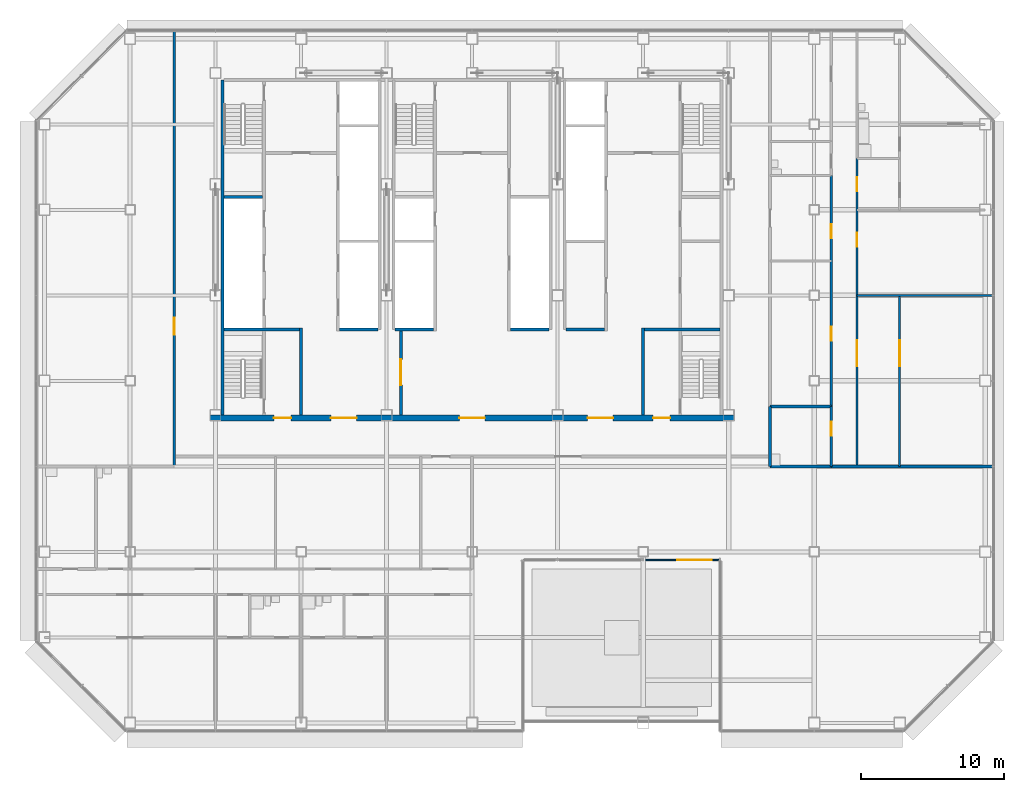
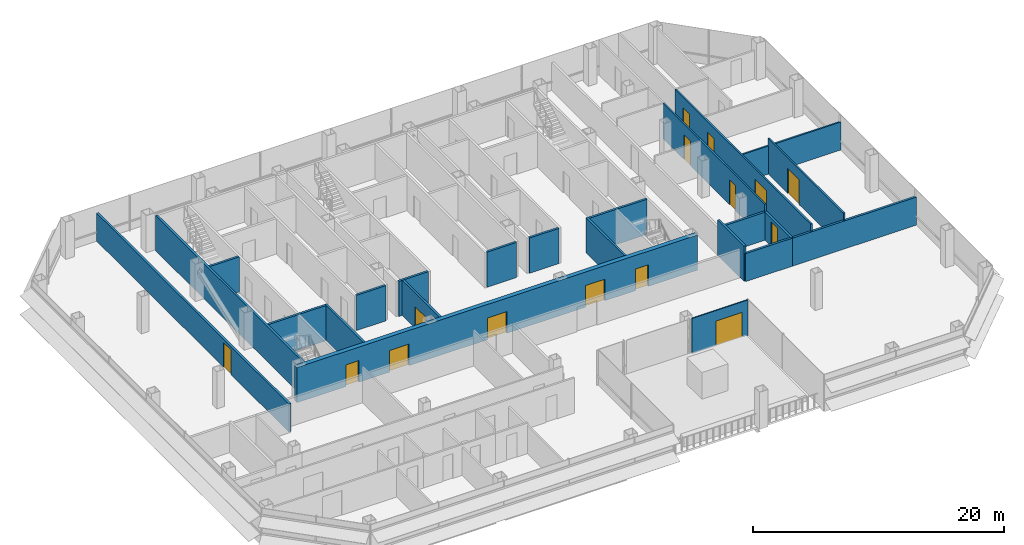
# One storey, part 19 of 26: 23 walls, 15 doors, 15 openings.
"""IFC4 building model written with IfcOpenShell, lengths in metres."""

from ifc_helpers import new_model, si_unit, direction, frame, frame_2d, origin, place, context, subcontext, project, spatial, rectangle, extrude, material, layer, layer_set, type_object, element, fill, save


model = new_model("IFC4")

# Units and contexts
model_context = context("Model", 3, precision=1e-05, world=origin(), true_north=direction((0.0, 1.0)))
body_context = subcontext(model_context, "Body", "Model", "MODEL_VIEW")
ifc_project = project(units=[si_unit("LENGTHUNIT", "METRE"), si_unit("AREAUNIT", "SQUARE_METRE"), si_unit("VOLUMEUNIT", "CUBIC_METRE"), si_unit("PLANEANGLEUNIT", "RADIAN"), si_unit("MASSUNIT", "GRAM", prefix="KILO")], contexts=[model_context])

# Site, building, storey
site_placement = place(None, origin())
site = spatial("IfcSite", under=ifc_project, at=site_placement, CompositionType="ELEMENT")
building_placement = place(site_placement, origin())
building = spatial("IfcBuilding", under=site, at=building_placement, Name="Sorahane Residences", CompositionType="ELEMENT")
storey_placement = place(building_placement, frame((0.0, 0.0, 103.39990234375)))
storey = spatial("IfcBuildingStorey", under=building, at=storey_placement, Name="L22", CompositionType="ELEMENT", Elevation=103.39990234375)

# Wall
ifc_material_1 = material(Name="Concrete C30", Category="concrete")
ifc_layer_1 = layer(ifc_material_1, 0.199951171875)
ifc_layer_set_1 = layer_set([ifc_layer_1], Name="Core face wall 200 EI 180")
wall_type_1 = type_object("IfcWallType", Name="Core face wall 200 EI 180", PredefinedType="SOLIDWALL", material=ifc_layer_set_1)
wall_1_placement = place(storey_placement, frame((6.5, 21.60009765625, 0.0), z_axis=(0.0, 0.0, 1.0), x_axis=(0.0, 1.0, 0.0)))
element("IfcWall", 1, at=wall_1_placement, inside=storey, type_object=wall_type_1, Name="L22 core face wall", PredefinedType="SOLIDWALL", context=body_context, shape_type="SweptSolid", body=[
    extrude(rectangle(XDim=23.5, YDim=0.199951171875, at=frame_2d((11.75, 0.0))), origin(), (0.0, 0.0, 1.0), 3.420166015625),
])

# Wall, opening, door
ifc_material_2 = material(Name="Concrete blockwork C20 wall", Category="masonry")
ifc_layer_2 = layer(ifc_material_2, 0.199951171875)
ifc_layer_set_2 = layer_set([ifc_layer_2], Name="Corridor wall 200 EI 120")
wall_type_2 = type_object("IfcWallType", Name="Corridor wall 200 EI 120", PredefinedType="SOLIDWALL", material=ifc_layer_set_2)
wall_2_placement = place(storey_placement, frame((3.10009765625, 18.0, 0.0), z_axis=(0.0, 0.0, 1.0), x_axis=(0.0, 1.0, 0.0)))
wall_2 = element("IfcWall", 2, at=wall_2_placement, inside=storey, type_object=wall_type_2, Name="L22 corridor wall", PredefinedType="SOLIDWALL", context=body_context, shape_type="SweptSolid", body=[
    extrude(rectangle(XDim=30.60009765625, YDim=0.199951171875, at=frame_2d((15.300048828125, 0.0))), origin(), (0.0, 0.0, 1.0), 2.72021484375),
])
opening_1_placement = place(wall_2_placement, frame((9.22998046875, 0.0, 0.0)))
opening_1 = element("IfcOpeningElement", 3, at=opening_1_placement, cuts=wall_2, Name="Opening L22-30", PredefinedType="OPENING", context=body_context, shape_type="SweptSolid", body=[
    extrude(rectangle(XDim=1.199951171875, YDim=2.39990234375, at=frame_2d((0.60009765625, 1.199951171875))), frame((0.0, 0.10986328125, 0.0), z_axis=(0.0, -1.0, 0.0), x_axis=(1.0, 0.0, 0.0)), (0.0, 0.0, 1.0), 0.219970703125),
])
ifc_material_3 = material(Name="Steel", Category="steel")
door_type_1 = type_object("IfcDoorType", Name="Lobby door 1200x2400 FD60", OperationType="NOTDEFINED", PredefinedType="DOOR", material=ifc_material_3)
door_1_placement = place(opening_1_placement, origin())
door_1 = element("IfcDoor", 4, at=door_1_placement, inside=storey, type_object=door_type_1, Name="Lobby door L22-30", OperationType="SINGLE_SWING_LEFT", OverallHeight=2.39990234375, OverallWidth=1.199951171875, PredefinedType="DOOR", context=body_context, shape_type="SweptSolid", body=[
    extrude(rectangle(XDim=1.199951171875, YDim=2.39990234375, at=frame_2d((0.60009765625, 1.199951171875))), frame((0.0, 0.02490234375, 0.0), z_axis=(0.0, -1.0, 0.0), x_axis=(1.0, 0.0, 0.0)), (0.0, 0.0, 1.0), 0.050048828125),
])
fill(opening_1, door_1)

# Walls
wall_3_placement = place(storey_placement, frame((49.199951171875, 18.0, 0.0), z_axis=(0.0, 0.0, 1.0), x_axis=(1.0, 0.0, 0.0)))
element("IfcWall", 5, at=wall_3_placement, inside=storey, type_object=wall_type_2, Name="L22 corridor wall", PredefinedType="SOLIDWALL", context=body_context, shape_type="SweptSolid", body=[
    extrude(rectangle(XDim=11.400146484375, YDim=0.199951171875, at=frame_2d((5.7001953125, 0.0))), origin(), (0.0, 0.0, 1.0), 2.72021484375),
])
ifc_material_4 = material(Name="Concrete C30", Category="concrete")
ifc_layer_3 = layer(ifc_material_4, 0.199951171875)
ifc_layer_set_3 = layer_set([ifc_layer_3], Name="Front room wall 200 EI 120")
wall_type_3 = type_object("IfcWallType", Name="Front room wall 200 EI 120", PredefinedType="PARTITIONING", material=ifc_layer_set_3)
for number, where, z_axis, x_axis, name in (
    (6, (12.0, 21.60009765625, 0.0), (0.0, 0.0, 1.0), (0.0, 1.0, 0.0), "L22 front room wall"),
    (7, (36.0, 21.60009765625, 0.0), (0.0, 0.0, 1.0), (0.0, 1.0, 0.0), "L22 front room wall"),
):
    element("IfcWall", number, at=place(storey_placement, frame(where, z_axis=z_axis, x_axis=x_axis)), inside=storey, type_object=wall_type_3, Name=name, PredefinedType="PARTITIONING", context=body_context, shape_type="SweptSolid", body=[
        extrude(rectangle(XDim=6.099853515625, YDim=0.199951171875, at=frame_2d((3.0498046875, 0.0))), origin(), (0.0, 0.0, 1.0), 3.420166015625),
    ])

# Wall, opening, door
ifc_material_5 = material(Name="Toughened low-iron glass", Category="glass")
ifc_layer_4 = layer(ifc_material_5, 0.10009765625)
ifc_layer_set_4 = layer_set([ifc_layer_4], Name="Glazed door screen toughened low-iron glass 100")
wall_type_4 = type_object("IfcWallType", Name="Glazed door screen toughened low-iron glass 100", PredefinedType="SOLIDWALL", material=ifc_layer_set_4)
wall_4_placement = place(storey_placement, frame((36.199951171875, 11.429931640625, 0.0), z_axis=(0.0, 0.0, 1.0), x_axis=(1.0, 0.0, 0.0)))
wall_4 = element("IfcWall", 8, at=wall_4_placement, inside=storey, type_object=wall_type_4, Name="Glazed door screen L22 S2.3", PredefinedType="SOLIDWALL", context=body_context, shape_type="SweptSolid", body=[
    extrude(rectangle(XDim=5.150146484375, YDim=0.10009765625, at=frame_2d((2.5751953125, 0.0))), origin(), (0.0, 0.0, 1.0), 3.420166015625),
])
opening_2_placement = place(wall_4_placement, frame((2.199951171875, 0.0, 0.0)))
opening_2 = element("IfcOpeningElement", 9, at=opening_2_placement, cuts=wall_4, Name="Opening L22-F01", PredefinedType="OPENING", context=body_context, shape_type="SweptSolid", body=[
    extrude(rectangle(XDim=2.39990234375, YDim=2.39990234375, at=frame_2d((1.199951171875, 1.199951171875))), frame((0.0, 0.06005859375, 0.0), z_axis=(0.0, -1.0, 0.0), x_axis=(1.0, 0.0, 0.0)), (0.0, 0.0, 1.0), 0.1201171875),
])
ifc_material_6 = material(Name="Black anodised aluminium and low-iron glass", Category="aluminium")
door_type_2 = type_object("IfcDoorType", Name="Glazed terrace door black aluminium 2400x2400", OperationType="DOUBLE_DOOR_SINGLE_SWING", PredefinedType="DOOR", material=ifc_material_6)
door_2_placement = place(opening_2_placement, origin())
door_2 = element("IfcDoor", 10, at=door_2_placement, inside=storey, type_object=door_type_2, Name="Terrace door L22-F01", OperationType="DOUBLE_DOOR_SINGLE_SWING", OverallHeight=2.39990234375, OverallWidth=2.39990234375, PredefinedType="DOOR", context=body_context, shape_type="SweptSolid", body=[
    extrude(rectangle(XDim=2.39990234375, YDim=2.39990234375, at=frame_2d((1.199951171875, 1.199951171875))), frame((0.0, 0.02490234375, 0.0), z_axis=(0.0, -1.0, 0.0), x_axis=(1.0, 0.0, 0.0)), (0.0, 0.0, 1.0), 0.050048828125),
])
fill(opening_2, door_2)

# Wall
ifc_material_7 = material(Name="Concrete blockwork C20 wall", Category="masonry")
ifc_layer_5 = layer(ifc_material_7, 0.199951171875)
ifc_layer_set_5 = layer_set([ifc_layer_5], Name="Kitchen wall 200 EI 180")
wall_type_5 = type_object("IfcWallType", Name="Kitchen wall 200 EI 180", PredefinedType="SOLIDWALL", material=ifc_layer_set_5)
wall_5_placement = place(storey_placement, frame((44.89990234375, 18.001953125, 0.0), z_axis=(0.0, 0.0, 1.0), x_axis=(0.0, 1.0, 0.0)))
element("IfcWall", 11, at=wall_5_placement, inside=storey, type_object=wall_type_5, Name="L22 kitchen wall", PredefinedType="SOLIDWALL", context=body_context, shape_type="SweptSolid", body=[
    extrude(rectangle(XDim=4.197998046875, YDim=0.199951171875, at=frame_2d((2.09912109375, 0.0))), origin(), (0.0, 0.0, 1.0), 3.420166015625),
])

# Wall, opening, door
wall_6_placement = place(storey_placement, frame((49.199951171875, 18.0, 0.0), z_axis=(0.0, 0.0, 1.0), x_axis=(0.0, 1.0, 0.0)))
wall_6 = element("IfcWall", 12, at=wall_6_placement, inside=storey, type_object=wall_type_5, Name="L22 kitchen wall", PredefinedType="SOLIDWALL", context=body_context, shape_type="SweptSolid", body=[
    extrude(rectangle(XDim=4.199951171875, YDim=0.199951171875, at=frame_2d((2.10009765625, 0.0))), origin(), (0.0, 0.0, 1.0), 2.72021484375),
])
opening_3_placement = place(wall_6_placement, frame((2.139892578125, 0.0, 0.0)))
opening_3 = element("IfcOpeningElement", 13, at=opening_3_placement, cuts=wall_6, Name="Opening L22-16", PredefinedType="OPENING", context=body_context, shape_type="SweptSolid", body=[
    extrude(rectangle(XDim=1.0, YDim=2.39990234375, at=frame_2d((0.5, 1.199951171875))), frame((0.0, 0.10986328125, 0.0), z_axis=(0.0, -1.0, 0.0), x_axis=(1.0, 0.0, 0.0)), (0.0, 0.0, 1.0), 0.219970703125),
])
ifc_material_8 = material(Name="Steel", Category="steel")
door_type_3 = type_object("IfcDoorType", Name="Kitchen door 1000x2400 FD120", OperationType="NOTDEFINED", PredefinedType="DOOR", material=ifc_material_8)
door_3_placement = place(opening_3_placement, origin())
door_3 = element("IfcDoor", 14, at=door_3_placement, inside=storey, type_object=door_type_3, Name="Kitchen door L22-16", OperationType="SINGLE_SWING_RIGHT", OverallHeight=2.39990234375, OverallWidth=1.0, PredefinedType="DOOR", context=body_context, shape_type="SweptSolid", body=[
    extrude(rectangle(XDim=1.0, YDim=2.39990234375, at=frame_2d((0.5, 1.199951171875))), frame((0.0, 0.02490234375, 0.0), z_axis=(0.0, -1.0, 0.0), x_axis=(1.0, 0.0, 0.0)), (0.0, 0.0, 1.0), 0.050048828125),
])
fill(opening_3, door_3)

# Walls
wall_7_placement = place(storey_placement, frame((44.902099609375, 18.0, 0.0), z_axis=(0.0, 0.0, 1.0), x_axis=(1.0, 0.0, 0.0)))
element("IfcWall", 15, at=wall_7_placement, inside=storey, type_object=wall_type_5, Name="L22 kitchen wall", PredefinedType="SOLIDWALL", context=body_context, shape_type="SweptSolid", body=[
    extrude(rectangle(XDim=4.2978515625, YDim=0.199951171875, at=frame_2d((2.14892578125, 0.0))), origin(), (0.0, 0.0, 1.0), 2.72021484375),
])
wall_8_placement = place(storey_placement, frame((44.89990234375, 22.199951171875, 0.0), z_axis=(0.0, 0.0, 1.0), x_axis=(1.0, 0.0, 0.0)))
element("IfcWall", 16, at=wall_8_placement, inside=storey, type_object=wall_type_5, Name="L22 kitchen wall", PredefinedType="SOLIDWALL", context=body_context, shape_type="SweptSolid", body=[
    extrude(rectangle(XDim=4.300048828125, YDim=0.199951171875, at=frame_2d((2.14990234375, 0.0))), origin(), (0.0, 0.0, 1.0), 2.72021484375),
])
ifc_material_9 = material(Name="Concrete C30", Category="concrete")
ifc_layer_6 = layer(ifc_material_9, 0.199951171875)
ifc_layer_set_6 = layer_set([ifc_layer_6], Name="Lift shaft wall 200 EI 120")
wall_type_6 = type_object("IfcWallType", Name="Lift shaft wall 200 EI 120", PredefinedType="SOLIDWALL", material=ifc_layer_set_6)
for number, where, z_axis, x_axis, name in (
    (17, (14.699951171875, 27.60009765625, 0.0), (0.0, 0.0, 1.0), (1.0, 0.0, 0.0), "L22 lift shaft wall"),
    (18, (18.60009765625, 27.60009765625, 0.0), (0.0, 0.0, 1.0), (1.0, 0.0, 0.0), "L22 lift shaft wall"),
):
    element("IfcWall", number, at=place(storey_placement, frame(where, z_axis=z_axis, x_axis=x_axis)), inside=storey, type_object=wall_type_6, Name=name, PredefinedType="SOLIDWALL", context=body_context, shape_type="SweptSolid", body=[
        extrude(rectangle(XDim=2.699951171875, YDim=0.199951171875, at=frame_2d((1.35009765625, 0.0))), origin(), (0.0, 0.0, 1.0), 3.420166015625),
    ])

# Wall, openings, doors
ifc_material_10 = material(Name="Gypsum board partition on steel studs", Category="steel")
ifc_layer_7 = layer(ifc_material_10, 0.14990234375)
ifc_layer_set_7 = layer_set([ifc_layer_7], Name="Partition 150 EI 90")
wall_type_7 = type_object("IfcWallType", Name="Partition 150 EI 90", PredefinedType="PARTITIONING", material=ifc_layer_set_7)
wall_9_placement = place(storey_placement, frame((49.199951171875, 22.199951171875, 0.0), z_axis=(0.0, 0.0, 1.0), x_axis=(0.0, 1.0, 0.0)))
wall_9 = element("IfcWall", 19, at=wall_9_placement, inside=storey, type_object=wall_type_7, Name="L22 partition", PredefinedType="PARTITIONING", context=body_context, shape_type="SweptSolid", body=[
    extrude(rectangle(XDim=16.199951171875, YDim=0.14990234375, at=frame_2d((8.10009765625, 0.0))), origin(), (0.0, 0.0, 1.0), 3.420166015625),
])
opening_4_placement = place(wall_9_placement, frame((11.800048828125, 0.0, 0.0)))
opening_4 = element("IfcOpeningElement", 20, at=opening_4_placement, cuts=wall_9, Name="Opening L22-15", PredefinedType="OPENING", context=body_context, shape_type="SweptSolid", body=[
    extrude(rectangle(XDim=1.0, YDim=2.39990234375, at=frame_2d((0.5, 1.199951171875))), frame((0.0, 0.0849609375, 0.0), z_axis=(0.0, -1.0, 0.0), x_axis=(1.0, 0.0, 0.0)), (0.0, 0.0, 1.0), 0.169921875),
])
opening_5_placement = place(wall_9_placement, frame((4.60009765625, 0.0, 0.0)))
opening_5 = element("IfcOpeningElement", 21, at=opening_5_placement, cuts=wall_9, Name="Opening L22-17", PredefinedType="OPENING", context=body_context, shape_type="SweptSolid", body=[
    extrude(rectangle(XDim=1.0, YDim=2.39990234375, at=frame_2d((0.5, 1.199951171875))), frame((0.0, 0.0849609375, 0.0), z_axis=(0.0, -1.0, 0.0), x_axis=(1.0, 0.0, 0.0)), (0.0, 0.0, 1.0), 0.169921875),
])
ifc_material_11 = material(Name="Timber veneered fire door", Category="wood")
door_type_4 = type_object("IfcDoorType", Name="Room door 1000x2400 FD30", OperationType="NOTDEFINED", PredefinedType="DOOR", material=ifc_material_11)
door_4_placement = place(opening_4_placement, frame((1.0, 0.0, 0.0), z_axis=(0.0, 0.0, 1.0), x_axis=(-1.0, 0.0, 0.0)))
door_4 = element("IfcDoor", 22, at=door_4_placement, inside=storey, type_object=door_type_4, Name="Room door L22-15", OperationType="SINGLE_SWING_RIGHT", OverallHeight=2.39990234375, OverallWidth=1.0, PredefinedType="DOOR", context=body_context, shape_type="SweptSolid", body=[
    extrude(rectangle(XDim=1.0, YDim=2.39990234375, at=frame_2d((0.5, 1.199951171875))), frame((0.0, 0.02490234375, 0.0), z_axis=(0.0, -1.0, 0.0), x_axis=(1.0, 0.0, 0.0)), (0.0, 0.0, 1.0), 0.050048828125),
])
fill(opening_4, door_4)
door_5_placement = place(opening_5_placement, origin())
door_5 = element("IfcDoor", 23, at=door_5_placement, inside=storey, type_object=door_type_4, Name="Room door L22-17", OperationType="SINGLE_SWING_LEFT", OverallHeight=2.39990234375, OverallWidth=1.0, PredefinedType="DOOR", context=body_context, shape_type="SweptSolid", body=[
    extrude(rectangle(XDim=1.0, YDim=2.39990234375, at=frame_2d((0.5, 1.199951171875))), frame((0.0, 0.02490234375, 0.0), z_axis=(0.0, -1.0, 0.0), x_axis=(1.0, 0.0, 0.0)), (0.0, 0.0, 1.0), 0.050048828125),
])
fill(opening_5, door_5)

wall_10_placement = place(storey_placement, frame((51.0, 18.0, 0.0), z_axis=(0.0, 0.0, 1.0), x_axis=(0.0, 1.0, 0.0)))
wall_10 = element("IfcWall", 24, at=wall_10_placement, inside=storey, type_object=wall_type_7, Name="L22 partition", PredefinedType="PARTITIONING", context=body_context, shape_type="SweptSolid", body=[
    extrude(rectangle(XDim=21.60009765625, YDim=0.14990234375, at=frame_2d((10.800048828125, 0.0))), origin(), (0.0, 0.0, 1.0), 3.420166015625),
])
opening_6_placement = place(wall_10_placement, frame((7.0400390625, 0.0, 0.0)))
opening_6 = element("IfcOpeningElement", 25, at=opening_6_placement, cuts=wall_10, Name="Opening L22-20", PredefinedType="OPENING", context=body_context, shape_type="SweptSolid", body=[
    extrude(rectangle(XDim=1.800048828125, YDim=2.39990234375, at=frame_2d((0.89990234375, 1.199951171875))), frame((0.0, 0.0849609375, 0.0), z_axis=(0.0, -1.0, 0.0), x_axis=(1.0, 0.0, 0.0)), (0.0, 0.0, 1.0), 0.169921875),
])
opening_7_placement = place(wall_10_placement, frame((15.39990234375, 0.0, 0.0)))
opening_7 = element("IfcOpeningElement", 26, at=opening_7_placement, cuts=wall_10, Name="Opening L22-21", PredefinedType="OPENING", context=body_context, shape_type="SweptSolid", body=[
    extrude(rectangle(XDim=1.0, YDim=2.39990234375, at=frame_2d((0.5, 1.199951171875))), frame((0.0, 0.0849609375, 0.0), z_axis=(0.0, -1.0, 0.0), x_axis=(1.0, 0.0, 0.0)), (0.0, 0.0, 1.0), 0.169921875),
])
opening_8_placement = place(wall_10_placement, frame((19.300048828125, 0.0, 0.0)))
opening_8 = element("IfcOpeningElement", 27, at=opening_8_placement, cuts=wall_10, Name="Opening L22-22", PredefinedType="OPENING", context=body_context, shape_type="SweptSolid", body=[
    extrude(rectangle(XDim=1.0, YDim=2.39990234375, at=frame_2d((0.5, 1.199951171875))), frame((0.0, 0.0849609375, 0.0), z_axis=(0.0, -1.0, 0.0), x_axis=(1.0, 0.0, 0.0)), (0.0, 0.0, 1.0), 0.169921875),
])
ifc_material_12 = material(Name="Timber veneered fire door", Category="wood")
door_type_5 = type_object("IfcDoorType", Name="Double door 1800x2400 FD30", OperationType="NOTDEFINED", PredefinedType="DOOR", material=ifc_material_12)
door_6_placement = place(opening_6_placement, frame((1.800048828125, 0.0, 0.0), z_axis=(0.0, 0.0, 1.0), x_axis=(-1.0, 0.0, 0.0)))
door_6 = element("IfcDoor", 28, at=door_6_placement, inside=storey, type_object=door_type_5, Name="Double door L22-20", OperationType="SINGLE_SWING_RIGHT", OverallHeight=2.39990234375, OverallWidth=1.800048828125, PredefinedType="DOOR", context=body_context, shape_type="SweptSolid", body=[
    extrude(rectangle(XDim=1.800048828125, YDim=2.39990234375, at=frame_2d((0.89990234375, 1.199951171875))), frame((0.0, 0.02490234375, 0.0), z_axis=(0.0, -1.0, 0.0), x_axis=(1.0, 0.0, 0.0)), (0.0, 0.0, 1.0), 0.050048828125),
])
fill(opening_6, door_6)
door_7_placement = place(opening_7_placement, frame((1.0, 0.0, 0.0), z_axis=(0.0, 0.0, 1.0), x_axis=(-1.0, 0.0, 0.0)))
door_7 = element("IfcDoor", 29, at=door_7_placement, inside=storey, type_object=door_type_4, Name="Room door L22-21", OperationType="SINGLE_SWING_RIGHT", OverallHeight=2.39990234375, OverallWidth=1.0, PredefinedType="DOOR", context=body_context, shape_type="SweptSolid", body=[
    extrude(rectangle(XDim=1.0, YDim=2.39990234375, at=frame_2d((0.5, 1.199951171875))), frame((0.0, 0.02490234375, 0.0), z_axis=(0.0, -1.0, 0.0), x_axis=(1.0, 0.0, 0.0)), (0.0, 0.0, 1.0), 0.050048828125),
])
fill(opening_7, door_7)
door_8_placement = place(opening_8_placement, frame((1.0, 0.0, 0.0), z_axis=(0.0, 0.0, 1.0), x_axis=(-1.0, 0.0, 0.0)))
door_8 = element("IfcDoor", 30, at=door_8_placement, inside=storey, type_object=door_type_4, Name="Room door L22-22", OperationType="SINGLE_SWING_LEFT", OverallHeight=2.39990234375, OverallWidth=1.0, PredefinedType="DOOR", context=body_context, shape_type="SweptSolid", body=[
    extrude(rectangle(XDim=1.0, YDim=2.39990234375, at=frame_2d((0.5, 1.199951171875))), frame((0.0, 0.02490234375, 0.0), z_axis=(0.0, -1.0, 0.0), x_axis=(1.0, 0.0, 0.0)), (0.0, 0.0, 1.0), 0.050048828125),
])
fill(opening_8, door_8)

# Wall, opening, door
wall_11_placement = place(storey_placement, frame((54.0, 18.0, 0.0), z_axis=(0.0, 0.0, 1.0), x_axis=(0.0, 1.0, 0.0)))
wall_11 = element("IfcWall", 31, at=wall_11_placement, inside=storey, type_object=wall_type_7, Name="L22 partition", PredefinedType="PARTITIONING", context=body_context, shape_type="SweptSolid", body=[
    extrude(rectangle(XDim=12.0, YDim=0.14990234375, at=frame_2d((6.0, 0.0))), origin(), (0.0, 0.0, 1.0), 3.420166015625),
])
opening_9_placement = place(wall_11_placement, frame((7.0400390625, 0.0, 0.0)))
opening_9 = element("IfcOpeningElement", 32, at=opening_9_placement, cuts=wall_11, Name="Opening L22-23", PredefinedType="OPENING", context=body_context, shape_type="SweptSolid", body=[
    extrude(rectangle(XDim=1.800048828125, YDim=2.39990234375, at=frame_2d((0.89990234375, 1.199951171875))), frame((0.0, 0.0849609375, 0.0), z_axis=(0.0, -1.0, 0.0), x_axis=(1.0, 0.0, 0.0)), (0.0, 0.0, 1.0), 0.169921875),
])
door_9_placement = place(opening_9_placement, frame((1.800048828125, 0.0, 0.0), z_axis=(0.0, 0.0, 1.0), x_axis=(-1.0, 0.0, 0.0)))
door_9 = element("IfcDoor", 33, at=door_9_placement, inside=storey, type_object=door_type_5, Name="Double door L22-23", OperationType="SINGLE_SWING_RIGHT", OverallHeight=2.39990234375, OverallWidth=1.800048828125, PredefinedType="DOOR", context=body_context, shape_type="SweptSolid", body=[
    extrude(rectangle(XDim=1.800048828125, YDim=2.39990234375, at=frame_2d((0.89990234375, 1.199951171875))), frame((0.0, 0.02490234375, 0.0), z_axis=(0.0, -1.0, 0.0), x_axis=(1.0, 0.0, 0.0)), (0.0, 0.0, 1.0), 0.050048828125),
])
fill(opening_9, door_9)

# Walls
wall_12_placement = place(storey_placement, frame((51.0, 30.0, 0.0), z_axis=(0.0, 0.0, 1.0), x_axis=(1.0, 0.0, 0.0)))
element("IfcWall", 34, at=wall_12_placement, inside=storey, type_object=wall_type_7, Name="L22 partition", PredefinedType="PARTITIONING", context=body_context, shape_type="SweptSolid", body=[
    extrude(rectangle(XDim=9.60009765625, YDim=0.14990234375, at=frame_2d((4.800048828125, 0.0))), origin(), (0.0, 0.0, 1.0), 2.72021484375),
])
ifc_material_13 = material(Name="Concrete C30", Category="concrete")
ifc_layer_8 = layer(ifc_material_13, 0.199951171875)
ifc_layer_set_8 = layer_set([ifc_layer_8], Name="Riser shaft wall 200 EI 120")
wall_type_8 = type_object("IfcWallType", Name="Riser shaft wall 200 EI 120", PredefinedType="SOLIDWALL", material=ifc_layer_set_8)
wall_13_placement = place(storey_placement, frame((26.699951171875, 27.60009765625, 0.0), z_axis=(0.0, 0.0, 1.0), x_axis=(1.0, 0.0, 0.0)))
element("IfcWall", 35, at=wall_13_placement, inside=storey, type_object=wall_type_8, Name="L22 riser wall", PredefinedType="SOLIDWALL", context=body_context, shape_type="SweptSolid", body=[
    extrude(rectangle(XDim=2.699951171875, YDim=0.199951171875, at=frame_2d((1.35009765625, 0.0))), origin(), (0.0, 0.0, 1.0), 3.420166015625),
])

# Wall, opening, door
ifc_material_14 = material(Name="Concrete C30", Category="concrete")
ifc_layer_9 = layer(ifc_material_14, 0.199951171875)
ifc_layer_set_9 = layer_set([ifc_layer_9], Name="Service room partition 200 EI 60")
wall_type_9 = type_object("IfcWallType", Name="Service room partition 200 EI 60", PredefinedType="PARTITIONING", material=ifc_layer_set_9)
wall_14_placement = place(storey_placement, frame((19.0, 21.60009765625, 0.0), z_axis=(0.0, 0.0, 1.0), x_axis=(0.0, 1.0, 0.0)))
wall_14 = element("IfcWall", 36, at=wall_14_placement, inside=storey, type_object=wall_type_9, Name="L22 service room wall", PredefinedType="PARTITIONING", context=body_context, shape_type="SweptSolid", body=[
    extrude(rectangle(XDim=6.0, YDim=0.199951171875, at=frame_2d((3.0, 0.0))), origin(), (0.0, 0.0, 1.0), 3.420166015625),
])
opening_10_placement = place(wall_14_placement, frame((2.10009765625, 0.0, 0.0)))
opening_10 = element("IfcOpeningElement", 37, at=opening_10_placement, cuts=wall_14, Name="Opening L22-C02", PredefinedType="OPENING", context=body_context, shape_type="SweptSolid", body=[
    extrude(rectangle(XDim=1.800048828125, YDim=2.10009765625, at=frame_2d((0.89990234375, 1.050048828125))), frame((0.0, 0.10986328125, 0.0), z_axis=(0.0, -1.0, 0.0), x_axis=(1.0, 0.0, 0.0)), (0.0, 0.0, 1.0), 0.219970703125),
])
ifc_material_15 = material(Name="Steel", Category="steel")
door_type_6 = type_object("IfcDoorType", Name="Waiting hall door 1800x2100 FD60", OperationType="NOTDEFINED", PredefinedType="DOOR", material=ifc_material_15)
door_10_placement = place(opening_10_placement, origin())
door_10 = element("IfcDoor", 38, at=door_10_placement, inside=storey, type_object=door_type_6, Name="Waiting hall door Residents' waiting hall west L22", OperationType="SINGLE_SWING_LEFT", OverallHeight=2.10009765625, OverallWidth=1.800048828125, PredefinedType="DOOR", context=body_context, shape_type="SweptSolid", body=[
    extrude(rectangle(XDim=1.800048828125, YDim=2.10009765625, at=frame_2d((0.89990234375, 1.050048828125))), frame((0.0, 0.02490234375, 0.0), z_axis=(0.0, -1.0, 0.0), x_axis=(1.0, 0.0, 0.0)), (0.0, 0.0, 1.0), 0.050048828125),
])
fill(opening_10, door_10)

# Walls
wall_15_placement = place(storey_placement, frame((30.60009765625, 27.60009765625, 0.0), z_axis=(0.0, 0.0, 1.0), x_axis=(1.0, 0.0, 0.0)))
element("IfcWall", 39, at=wall_15_placement, inside=storey, type_object=wall_type_9, Name="L22 service room wall", PredefinedType="PARTITIONING", context=body_context, shape_type="SweptSolid", body=[
    extrude(rectangle(XDim=2.699951171875, YDim=0.199951171875, at=frame_2d((1.35009765625, 0.0))), origin(), (0.0, 0.0, 1.0), 3.420166015625),
])
ifc_material_16 = material(Name="Concrete C30", Category="concrete")
ifc_layer_10 = layer(ifc_material_16, 0.199951171875)
ifc_layer_set_10 = layer_set([ifc_layer_10], Name="Stair enclosure wall 200 EI 120")
wall_type_10 = type_object("IfcWallType", Name="Stair enclosure wall 200 EI 120", PredefinedType="SOLIDWALL", material=ifc_layer_set_10)
for number, where, z_axis, x_axis, name in (
    (40, (36.10009765625, 27.60009765625, 0.0), (0.0, 0.0, 1.0), (1.0, 0.0, 0.0), "L22 stair enclosure wall"),
    (41, (6.60009765625, 27.60009765625, 0.0), (0.0, 0.0, 1.0), (1.0, 0.0, 0.0), "L22 stair enclosure wall"),
):
    element("IfcWall", number, at=place(storey_placement, frame(where, z_axis=z_axis, x_axis=x_axis)), inside=storey, type_object=wall_type_10, Name=name, PredefinedType="SOLIDWALL", context=body_context, shape_type="SweptSolid", body=[
        extrude(rectangle(XDim=5.2998046875, YDim=0.199951171875, at=frame_2d((2.64990234375, 0.0))), origin(), (0.0, 0.0, 1.0), 3.420166015625),
    ])
wall_16_placement = place(storey_placement, frame((6.60009765625, 36.89990234375, 0.0), z_axis=(0.0, 0.0, 1.0), x_axis=(1.0, 0.0, 0.0)))
element("IfcWall", 42, at=wall_16_placement, inside=storey, type_object=wall_type_10, Name="L22 stair enclosure wall", PredefinedType="SOLIDWALL", context=body_context, shape_type="SweptSolid", body=[
    extrude(rectangle(XDim=2.699951171875, YDim=0.199951171875, at=frame_2d((1.35009765625, 0.0))), origin(), (0.0, 0.0, 1.0), 3.420166015625),
])

# Wall, openings, doors
ifc_material_17 = material(Name="Concrete C30", Category="concrete")
ifc_layer_11 = layer(ifc_material_17, 0.39990234375)
ifc_layer_set_11 = layer_set([ifc_layer_11], Name="Waiting hall wall 400 EI 120")
wall_type_11 = type_object("IfcWallType", Name="Waiting hall wall 400 EI 120", PredefinedType="SOLIDWALL", material=ifc_layer_set_11)
wall_17_placement = place(storey_placement, frame((5.60009765625, 21.39990234375, 0.0), z_axis=(0.0, 0.0, 1.0), x_axis=(1.0, 0.0, 0.0)))
wall_17 = element("IfcWall", 43, at=wall_17_placement, inside=storey, type_object=wall_type_11, Name="L22 waiting hall wall", PredefinedType="SOLIDWALL", context=body_context, shape_type="SweptSolid", body=[
    extrude(rectangle(XDim=36.7998046875, YDim=0.39990234375, at=frame_2d((18.39990234375, 0.0))), origin(), (0.0, 0.0, 1.0), 3.420166015625),
])
opening_11_placement = place(wall_17_placement, frame((8.5, 0.0, 0.0)))
opening_11 = element("IfcOpeningElement", 44, at=opening_11_placement, cuts=wall_17, Name="Opening L22-C01", PredefinedType="OPENING", context=body_context, shape_type="SweptSolid", body=[
    extrude(rectangle(XDim=1.800048828125, YDim=2.10009765625, at=frame_2d((0.89990234375, 1.050048828125))), frame((0.0, 0.2099609375, 0.0), z_axis=(0.0, -1.0, 0.0), x_axis=(1.0, 0.0, 0.0)), (0.0, 0.0, 1.0), 0.419921875),
])
opening_12_placement = place(wall_17_placement, frame((17.5, 0.0, 0.0)))
opening_12 = element("IfcOpeningElement", 45, at=opening_12_placement, cuts=wall_17, Name="Opening L22-C03", PredefinedType="OPENING", context=body_context, shape_type="SweptSolid", body=[
    extrude(rectangle(XDim=1.800048828125, YDim=2.10009765625, at=frame_2d((0.89990234375, 1.050048828125))), frame((0.0, 0.2099609375, 0.0), z_axis=(0.0, -1.0, 0.0), x_axis=(1.0, 0.0, 0.0)), (0.0, 0.0, 1.0), 0.419921875),
])
opening_13_placement = place(wall_17_placement, frame((26.5, 0.0, 0.0)))
opening_13 = element("IfcOpeningElement", 46, at=opening_13_placement, cuts=wall_17, Name="Opening L22-C04", PredefinedType="OPENING", context=body_context, shape_type="SweptSolid", body=[
    extrude(rectangle(XDim=1.800048828125, YDim=2.10009765625, at=frame_2d((0.89990234375, 1.050048828125))), frame((0.0, 0.2099609375, 0.0), z_axis=(0.0, -1.0, 0.0), x_axis=(1.0, 0.0, 0.0)), (0.0, 0.0, 1.0), 0.419921875),
])
opening_14_placement = place(wall_17_placement, frame((4.5, 0.0, 0.0)))
opening_14 = element("IfcOpeningElement", 47, at=opening_14_placement, cuts=wall_17, Name="Opening L22-C05", PredefinedType="OPENING", context=body_context, shape_type="SweptSolid", body=[
    extrude(rectangle(XDim=1.199951171875, YDim=2.10009765625, at=frame_2d((0.60009765625, 1.050048828125))), frame((0.0, 0.2099609375, 0.0), z_axis=(0.0, -1.0, 0.0), x_axis=(1.0, 0.0, 0.0)), (0.0, 0.0, 1.0), 0.419921875),
])
opening_15_placement = place(wall_17_placement, frame((31.10009765625, 0.0, 0.0)))
opening_15 = element("IfcOpeningElement", 48, at=opening_15_placement, cuts=wall_17, Name="Opening L22-C06", PredefinedType="OPENING", context=body_context, shape_type="SweptSolid", body=[
    extrude(rectangle(XDim=1.199951171875, YDim=2.10009765625, at=frame_2d((0.60009765625, 1.050048828125))), frame((0.0, 0.2099609375, 0.0), z_axis=(0.0, -1.0, 0.0), x_axis=(1.0, 0.0, 0.0)), (0.0, 0.0, 1.0), 0.419921875),
])
ifc_material_18 = material(Name="Steel", Category="steel")
door_type_7 = type_object("IfcDoorType", Name="Stair front room door 1200x2100 FD120", OperationType="NOTDEFINED", PredefinedType="DOOR", material=ifc_material_18)
door_11_placement = place(opening_14_placement, frame((1.199951171875, 0.0, 0.0), z_axis=(0.0, 0.0, 1.0), x_axis=(-1.0, 0.0, 0.0)))
door_11 = element("IfcDoor", 49, at=door_11_placement, inside=storey, type_object=door_type_7, Name="Stair front room door Stair S4 front room L22", OperationType="SINGLE_SWING_LEFT", OverallHeight=2.10009765625, OverallWidth=1.199951171875, PredefinedType="DOOR", context=body_context, shape_type="SweptSolid", body=[
    extrude(rectangle(XDim=1.199951171875, YDim=2.10009765625, at=frame_2d((0.60009765625, 1.050048828125))), frame((0.0, 0.02490234375, 0.0), z_axis=(0.0, -1.0, 0.0), x_axis=(1.0, 0.0, 0.0)), (0.0, 0.0, 1.0), 0.050048828125),
])
fill(opening_14, door_11)
door_12_placement = place(opening_15_placement, frame((1.199951171875, 0.0, 0.0), z_axis=(0.0, 0.0, 1.0), x_axis=(-1.0, 0.0, 0.0)))
door_12 = element("IfcDoor", 50, at=door_12_placement, inside=storey, type_object=door_type_7, Name="Stair front room door Stair S5 front room L22", OperationType="SINGLE_SWING_LEFT", OverallHeight=2.10009765625, OverallWidth=1.199951171875, PredefinedType="DOOR", context=body_context, shape_type="SweptSolid", body=[
    extrude(rectangle(XDim=1.199951171875, YDim=2.10009765625, at=frame_2d((0.60009765625, 1.050048828125))), frame((0.0, 0.02490234375, 0.0), z_axis=(0.0, -1.0, 0.0), x_axis=(1.0, 0.0, 0.0)), (0.0, 0.0, 1.0), 0.050048828125),
])
fill(opening_15, door_12)
door_13_placement = place(opening_11_placement, frame((1.800048828125, 0.0, 0.0), z_axis=(0.0, 0.0, 1.0), x_axis=(-1.0, 0.0, 0.0)))
door_13 = element("IfcDoor", 51, at=door_13_placement, inside=storey, type_object=door_type_6, Name="Waiting hall door Residents' waiting hall west L22", OperationType="SINGLE_SWING_LEFT", OverallHeight=2.10009765625, OverallWidth=1.800048828125, PredefinedType="DOOR", context=body_context, shape_type="SweptSolid", body=[
    extrude(rectangle(XDim=1.800048828125, YDim=2.10009765625, at=frame_2d((0.89990234375, 1.050048828125))), frame((0.0, 0.02490234375, 0.0), z_axis=(0.0, -1.0, 0.0), x_axis=(1.0, 0.0, 0.0)), (0.0, 0.0, 1.0), 0.050048828125),
])
fill(opening_11, door_13)
door_14_placement = place(opening_12_placement, frame((1.800048828125, 0.0, 0.0), z_axis=(0.0, 0.0, 1.0), x_axis=(-1.0, 0.0, 0.0)))
door_14 = element("IfcDoor", 52, at=door_14_placement, inside=storey, type_object=door_type_6, Name="Waiting hall door Residents' waiting hall east L22", OperationType="SINGLE_SWING_LEFT", OverallHeight=2.10009765625, OverallWidth=1.800048828125, PredefinedType="DOOR", context=body_context, shape_type="SweptSolid", body=[
    extrude(rectangle(XDim=1.800048828125, YDim=2.10009765625, at=frame_2d((0.89990234375, 1.050048828125))), frame((0.0, 0.02490234375, 0.0), z_axis=(0.0, -1.0, 0.0), x_axis=(1.0, 0.0, 0.0)), (0.0, 0.0, 1.0), 0.050048828125),
])
fill(opening_12, door_14)
door_15_placement = place(opening_13_placement, frame((1.800048828125, 0.0, 0.0), z_axis=(0.0, 0.0, 1.0), x_axis=(-1.0, 0.0, 0.0)))
door_15 = element("IfcDoor", 53, at=door_15_placement, inside=storey, type_object=door_type_6, Name="Waiting hall door Residents' waiting hall east L22", OperationType="SINGLE_SWING_LEFT", OverallHeight=2.10009765625, OverallWidth=1.800048828125, PredefinedType="DOOR", context=body_context, shape_type="SweptSolid", body=[
    extrude(rectangle(XDim=1.800048828125, YDim=2.10009765625, at=frame_2d((0.89990234375, 1.050048828125))), frame((0.0, 0.02490234375, 0.0), z_axis=(0.0, -1.0, 0.0), x_axis=(1.0, 0.0, 0.0)), (0.0, 0.0, 1.0), 0.050048828125),
])
fill(opening_13, door_15)

save(model, "model.ifc")
